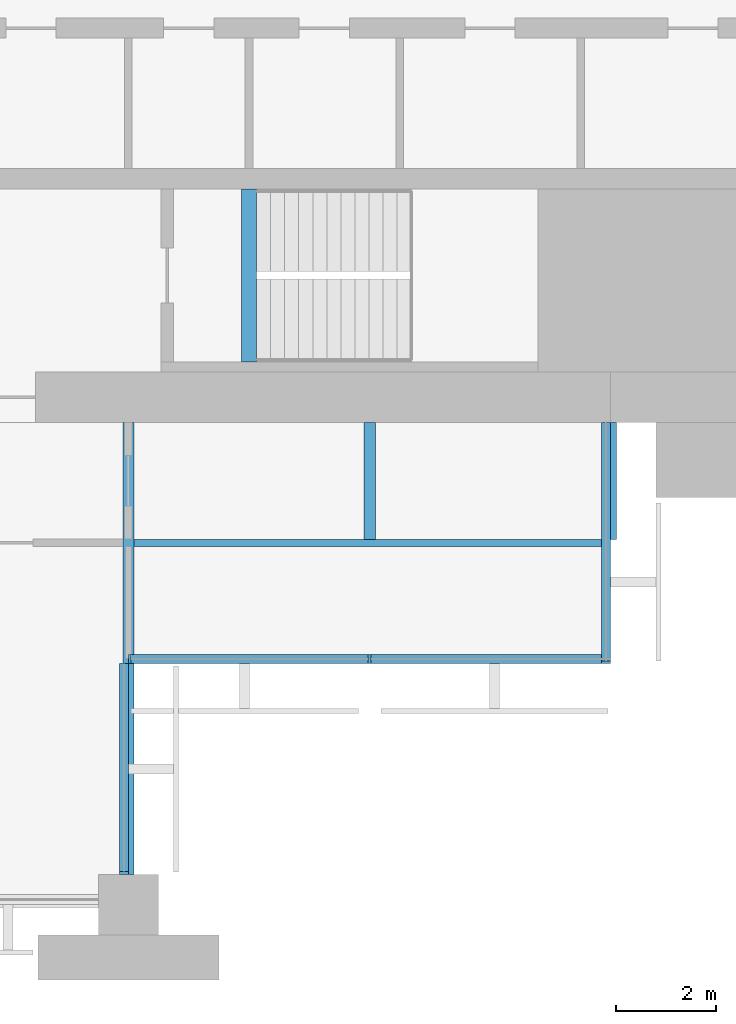
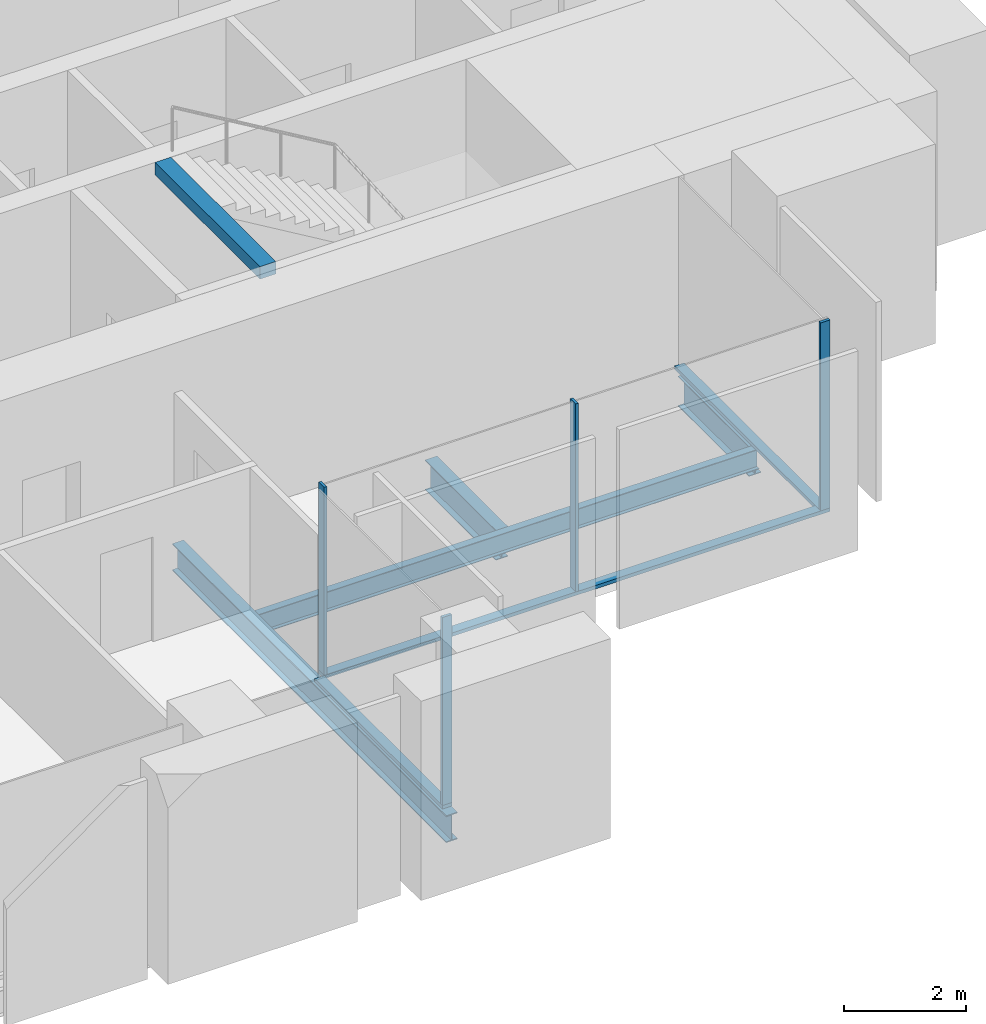
# One storey, part 4 of 14: 7 members, 5 beams, 3 elements without a shape of their own.
"""IFC4 building model written with IfcOpenShell, lengths in metres."""

from ifc_helpers import new_model, si_unit, direction, frame, origin, origin_2d, place, context, subcontext, project, spatial, rectangle, i_section, extrude, material, material_profile, profile_set, type_object, element, aggregate, save


model = new_model("IFC4")

# Units and contexts
model_context = context("Model", 3, precision=1e-05, world=origin(), true_north=direction((0.0, 1.0)))
body_context = subcontext(model_context, "Body", "Model", "MODEL_VIEW")
ifc_project = project(units=[si_unit("LENGTHUNIT", "METRE"), si_unit("AREAUNIT", "SQUARE_METRE"), si_unit("VOLUMEUNIT", "CUBIC_METRE"), si_unit("PLANEANGLEUNIT", "RADIAN"), si_unit("MASSUNIT", "GRAM", prefix="KILO")], contexts=[model_context])

# Site, building, storey
site_placement = place(None, origin())
site = spatial("IfcSite", under=ifc_project, at=site_placement, CompositionType="ELEMENT")
building_placement = place(site_placement, origin())
building = spatial("IfcBuilding", under=site, at=building_placement, Name="Baori Bourse Tower", CompositionType="ELEMENT")
storey_placement = place(building_placement, frame((0.0, 0.0, 112.10009765625)))
storey = spatial("IfcBuildingStorey", under=building, at=storey_placement, Name="L23", CompositionType="ELEMENT", Elevation=112.10009765625)

# Curtain wall, member
ifc_material_1 = material(Name="Pale anodised aluminium", Category="aluminium")
curtain_wall_type = type_object("IfcCurtainWallType", Name="CW2 Curtain wall", PredefinedType="NOTDEFINED", material=ifc_material_1)
curtain_wall_1_placement = place(storey_placement, origin())
curtain_wall_1 = element("IfcCurtainWall", 1, at=curtain_wall_1_placement, inside=storey, type_object=curtain_wall_type, Name="Curtain wall CW2 L23 12", PredefinedType="NOTDEFINED")
ifc_material_2 = material(Name="Pale anodised aluminium", Category="aluminium")
ifc_material_profile_1 = material_profile(ifc_material_2, rectangle(XDim=0.179931640625, YDim=0.054931640625, at=origin_2d()), Name="Mullion 55x180")
ifc_profile_set_1 = profile_set([ifc_material_profile_1], Name="Pale anodised aluminium")
member_type_1 = type_object("IfcMemberType", Name="CW2 Curtain wall mullion", PredefinedType="MULLION", material=ifc_profile_set_1)
member_1_placement = place(storey_placement, frame((43.110107421875, 0.62744140625, 0.06982421875), z_axis=(0.0, 0.0, 1.0), x_axis=(-1.0, 0.0, 0.0)))
member_1 = element("IfcMember", 2, at=member_1_placement, type_object=member_type_1, Name="Curtain wall CW2 mullion", PredefinedType="MULLION", context=body_context, shape_type="SweptSolid", body=[
    extrude(rectangle(XDim=0.179931640625, YDim=0.054931640625, at=origin_2d()), origin(), (0.0, 0.0, 1.0), 3.77001953125),
])

# Curtain wall, members
curtain_wall_2_placement = place(storey_placement, origin())
curtain_wall_2 = element("IfcCurtainWall", 3, at=curtain_wall_2_placement, inside=storey, type_object=curtain_wall_type, Name="Curtain wall CW2 L23 13", PredefinedType="NOTDEFINED")
member_2_placement = place(storey_placement, frame((43.2275390625, 4.889892578125, 0.06982421875), z_axis=(0.0, 0.0, 1.0), x_axis=(0.0, 1.0, 0.0)))
member_2 = element("IfcMember", 4, at=member_2_placement, type_object=member_type_1, Name="Curtain wall CW2 mullion", PredefinedType="MULLION", context=body_context, shape_type="SweptSolid", body=[
    extrude(rectangle(XDim=0.179931640625, YDim=0.054931640625, at=origin_2d()), origin(), (0.0, 0.0, 1.0), 3.77001953125),
])
member_3_placement = place(storey_placement, frame((48.0, 4.889892578125, 0.06982421875), z_axis=(0.0, 0.0, 1.0), x_axis=(0.0, 1.0, 0.0)))
member_3 = element("IfcMember", 5, at=member_3_placement, type_object=member_type_1, Name="Curtain wall CW2 mullion", PredefinedType="MULLION", context=body_context, shape_type="SweptSolid", body=[
    extrude(rectangle(XDim=0.179931640625, YDim=0.054931640625, at=origin_2d()), origin(), (0.0, 0.0, 1.0), 3.77001953125),
])

# Curtain wall, member
curtain_wall_3_placement = place(storey_placement, origin())
curtain_wall_3 = element("IfcCurtainWall", 6, at=curtain_wall_3_placement, inside=storey, type_object=curtain_wall_type, Name="Curtain wall CW2 L23 14", PredefinedType="NOTDEFINED")
member_4_placement = place(storey_placement, frame((52.7099609375, 4.827392578125, 0.06982421875), z_axis=(0.0, 0.0, 1.0), x_axis=(-1.0, 0.0, 0.0)))
member_4 = element("IfcMember", 7, at=member_4_placement, type_object=member_type_1, Name="Curtain wall CW2 mullion", PredefinedType="MULLION", context=body_context, shape_type="SweptSolid", body=[
    extrude(rectangle(XDim=0.179931640625, YDim=0.054931640625, at=origin_2d()), origin(), (0.0, 0.0, 1.0), 3.77001953125),
])

# Member
ifc_material_3 = material(Name="Pale anodised aluminium", Category="aluminium")
ifc_material_profile_2 = material_profile(ifc_material_3, rectangle(XDim=0.179931640625, YDim=0.070068359375, at=origin_2d()), Name="Transom 70x180")
ifc_profile_set_2 = profile_set([ifc_material_profile_2], Name="Pale anodised aluminium")
member_type_2 = type_object("IfcMemberType", Name="CW2 Curtain wall transom", PredefinedType="USERDEFINED", material=ifc_profile_set_2)
member_5_placement = place(storey_placement, frame((43.110107421875, 0.60009765625, 0.034912109375), z_axis=(0.0, 1.0, 0.0), x_axis=(-1.0, 0.0, 0.0)))
member_5 = element("IfcMember", 8, at=member_5_placement, type_object=member_type_2, Name="Curtain wall CW2 sill rail", ObjectType="TRANSOM", PredefinedType="USERDEFINED", context=body_context, shape_type="SweptSolid", body=[
    extrude(rectangle(XDim=0.179931640625, YDim=0.070068359375, at=origin_2d()), origin(), (0.0, 0.0, 1.0), 4.199951171875),
])

aggregate(curtain_wall_1, [member_5, member_1])

member_6_placement = place(storey_placement, frame((43.199951171875, 4.889892578125, 0.034912109375), z_axis=(1.0, 0.0, 0.0), x_axis=(0.0, 1.0, 0.0)))
member_6 = element("IfcMember", 9, at=member_6_placement, type_object=member_type_2, Name="Curtain wall CW2 sill rail", ObjectType="TRANSOM", PredefinedType="USERDEFINED", context=body_context, shape_type="SweptSolid", body=[
    extrude(rectangle(XDim=0.179931640625, YDim=0.070068359375, at=origin_2d()), origin(), (0.0, 0.0, 1.0), 9.60009765625),
])

aggregate(curtain_wall_2, [member_6, member_2, member_3])

member_7_placement = place(storey_placement, frame((52.7099609375, 4.800048828125, 0.034912109375), z_axis=(0.0, 1.0, 0.0), x_axis=(-1.0, 0.0, 0.0)))
member_7 = element("IfcMember", 10, at=member_7_placement, type_object=member_type_2, Name="Curtain wall CW2 sill rail", ObjectType="TRANSOM", PredefinedType="USERDEFINED", context=body_context, shape_type="SweptSolid", body=[
    extrude(rectangle(XDim=0.179931640625, YDim=0.070068359375, at=origin_2d()), origin(), (0.0, 0.0, 1.0), 4.800048828125),
])

aggregate(curtain_wall_3, [member_7, member_4])

# Beams
ifc_material_4 = material(Name="Steel A992 Gr 50", Category="steel")
ifc_material_profile_3 = material_profile(ifc_material_4, i_section(OverallWidth=0.227783203125, OverallDepth=0.60205078125, WebThickness=0.010498046875, FlangeThickness=0.014892578125, at=origin_2d()), Name="W24x68")
ifc_profile_set_3 = profile_set([ifc_material_profile_3], Name="Steel A992 Gr 50")
beam_type_1 = type_object("IfcBeamType", Name="Core bracket W24x68", PredefinedType="BEAM", material=ifc_profile_set_3)
for number, where, z_axis, x_axis, name in (
    (11, (48.0, 7.270263671875, -0.461181640625), (0.0, 1.0, 0.0), (-1.0, 0.0, 0.0), "Core bracket L23"),
    (12, (52.800048828125, 7.270263671875, -0.461181640625), (0.0, 1.0, 0.0), (-1.0, 0.0, 0.0), "Core bracket L23"),
):
    element("IfcBeam", number, at=place(storey_placement, frame(where, z_axis=z_axis, x_axis=x_axis)), inside=storey, type_object=beam_type_1, Name=name, PredefinedType="BEAM", context=body_context, shape_type="SweptSolid", body=[
        extrude(i_section(OverallWidth=0.227783203125, OverallDepth=0.60205078125, WebThickness=0.010498046875, FlangeThickness=0.014892578125, at=origin_2d()), origin(), (0.0, 0.0, 1.0), 2.329833984375),
    ])
ifc_material_5 = material(Name="Steel A992 Gr 50", Category="steel")
ifc_material_profile_4 = material_profile(ifc_material_5, i_section(OverallWidth=0.21240234375, OverallDepth=0.54345703125, WebThickness=0.01318359375, FlangeThickness=0.021240234375, at=origin_2d()), Name="W21x83")
ifc_profile_set_4 = profile_set([ifc_material_profile_4], Name="Steel A992 Gr 50")
beam_type_2 = type_object("IfcBeamType", Name="Floor beam W21x83", PredefinedType="BEAM", material=ifc_profile_set_4)
beam_1_placement = place(storey_placement, frame((43.199951171875, 0.60009765625, -0.431884765625), z_axis=(0.0, 1.0, 0.0), x_axis=(-1.0, 0.0, 0.0)))
element("IfcBeam", 13, at=beam_1_placement, inside=storey, type_object=beam_type_2, Name="Floor beam L23", PredefinedType="BEAM", context=body_context, shape_type="SweptSolid", body=[
    extrude(i_section(OverallWidth=0.21240234375, OverallDepth=0.54345703125, WebThickness=0.01318359375, FlangeThickness=0.021240234375, at=origin_2d()), origin(), (0.0, 0.0, 1.0), 9.0),
])
ifc_material_6 = material(Name="Concrete f'c 50 MPa", Category="concrete")
ifc_material_profile_5 = material_profile(ifc_material_6, rectangle(XDim=0.300048828125, YDim=0.25, at=origin_2d()), Name="RC 300x250")
ifc_profile_set_5 = profile_set([ifc_material_profile_5], Name="Concrete f'c 50 MPa")
beam_type_3 = type_object("IfcBeamType", Name="Stair nib beam RC 300x250", PredefinedType="BEAM", material=ifc_profile_set_5)
beam_2_placement = place(storey_placement, frame((45.60009765625, 10.800048828125, 3.71484375), z_axis=(0.0, 1.0, 0.0), x_axis=(-1.0, 0.0, 0.0)))
element("IfcBeam", 14, at=beam_2_placement, inside=storey, type_object=beam_type_3, Name="Stair EA nib beam L24", PredefinedType="BEAM", context=body_context, shape_type="SweptSolid", body=[
    extrude(rectangle(XDim=0.300048828125, YDim=0.25, at=origin_2d()), origin(), (0.0, 0.0, 1.0), 3.449951171875),
])
ifc_material_7 = material(Name="Steel A992 Gr 50", Category="steel")
ifc_material_profile_6 = material_profile(ifc_material_7, i_section(OverallWidth=0.140380859375, OverallDepth=0.40380859375, WebThickness=0.007080078125, FlangeThickness=0.01123046875, at=origin_2d()), Name="W16x31")
ifc_profile_set_6 = profile_set([ifc_material_profile_6], Name="Steel A992 Gr 50")
beam_type_4 = type_object("IfcBeamType", Name="Trimmer beam W16x31", PredefinedType="BEAM", material=ifc_profile_set_6)
beam_3_placement = place(storey_placement, frame((43.30615234375, 7.199951171875, -0.362060546875), z_axis=(1.0, 0.0, 0.0), x_axis=(0.0, 1.0, 0.0)))
element("IfcBeam", 15, at=beam_3_placement, inside=storey, type_object=beam_type_4, Name="Trimmer beam L23", PredefinedType="BEAM", context=body_context, shape_type="SweptSolid", body=[
    extrude(i_section(OverallWidth=0.140380859375, OverallDepth=0.40380859375, WebThickness=0.007080078125, FlangeThickness=0.01123046875, at=origin_2d()), origin(), (0.0, 0.0, 1.0), 9.493896484375),
])

save(model, "model.ifc")
